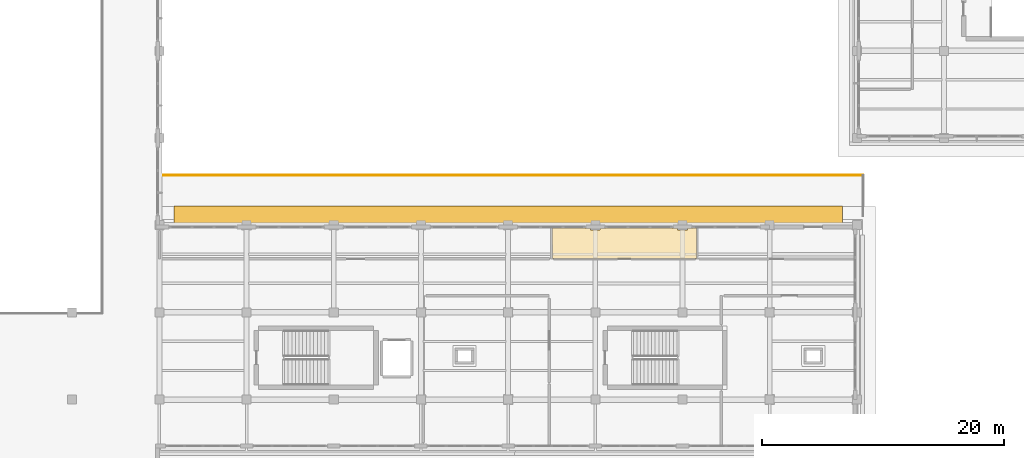
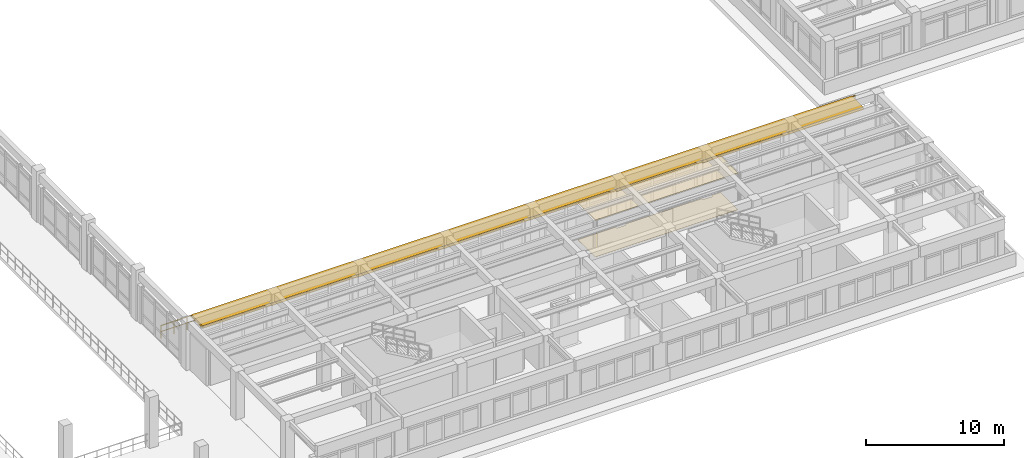
# One storey, part 56 of 64: 2 coverings, 1 railing, 1 shading device.
"""IFC4 building model written with IfcOpenShell, lengths in metres."""

from ifc_helpers import new_model, si_unit, direction, frame, origin, origin_2d, place, context, subcontext, project, spatial, polyline, rectangle, circle, outline, extrude, material, layer, layer_set, type_object, element, save


model = new_model("IFC4")

# Units and contexts
model_context = context("Model", 3, precision=1e-05, world=origin(), true_north=direction((0.0, 1.0)))
body_context = subcontext(model_context, "Body", "Model", "MODEL_VIEW")
ifc_project = project(units=[si_unit("LENGTHUNIT", "METRE"), si_unit("AREAUNIT", "SQUARE_METRE"), si_unit("VOLUMEUNIT", "CUBIC_METRE"), si_unit("PLANEANGLEUNIT", "RADIAN"), si_unit("MASSUNIT", "GRAM", prefix="KILO")], contexts=[model_context])

# Site, building, storey
site_placement = place(None, origin())
site = spatial("IfcSite", under=ifc_project, at=site_placement, CompositionType="ELEMENT")
building_placement = place(site_placement, origin())
building = spatial("IfcBuilding", under=site, at=building_placement, Name="Solenvale Faculty of Natural Sciences", CompositionType="ELEMENT")
storey_placement = place(building_placement, frame((0.0, 0.0, 18.0)))
storey = spatial("IfcBuildingStorey", under=building, at=storey_placement, Name="L04", CompositionType="ELEMENT", Elevation=18.0)

# Coverings
ifc_material_1 = material(Name="Acoustic mineral-timber ceiling", Category="wood")
ifc_layer_1 = layer(ifc_material_1, 0.02490234375)
ifc_layer_set_1 = layer_set([ifc_layer_1], Name="Acoustic mineral-timber ceiling")
covering_type_1 = type_object("IfcCoveringType", Name="COV-CEIL-AC25", PredefinedType="CEILING", material=ifc_layer_set_1)
covering_1_placement = place(storey_placement, frame((0.0, 0.0, 3.235107421875)))
element("IfcCovering", 1, at=covering_1_placement, inside=storey, type_object=covering_type_1, Name="L04 Graduate Research Office Acoustic Ceiling", PredefinedType="CEILING", context=body_context, shape_type="SweptSolid", body=[
    extrude(outline(polyline([(93.169921875, 35.760009765625), (93.198974609375, 35.739013671875), (93.199951171875, 35.60888671875), (93.2109375, 35.60009765625), (93.991943359375, 35.60009765625), (94.0009765625, 35.736083984375), (94.030029296875, 35.760009765625), (100.3701171875, 35.760009765625), (100.39892578125, 35.739013671875), (100.39990234375, 35.60888671875), (100.410888671875, 35.60009765625), (101.19091796875, 35.60009765625), (101.199951171875, 35.60888671875), (101.200927734375, 35.736083984375), (101.22412109375, 35.759033203125), (101.958984375, 35.759033203125), (101.97998046875, 35.72998046875), (101.97900390625, 33.260986328125), (101.949951171875, 33.239990234375), (90.070068359375, 33.239990234375), (90.047119140625, 33.2509765625), (90.0400390625, 35.72998046875), (90.051025390625, 35.7529296875), (93.169921875, 35.760009765625)])), origin(), (0.0, 0.0, 1.0), 0.02490234375),
])
ifc_material_2 = material(Name="Polished slate terrazzo flooring", Category="masonry")
ifc_layer_2 = layer(ifc_material_2, 0.01806640625)
ifc_layer_set_2 = layer_set([ifc_layer_2], Name="Polished slate terrazzo flooring")
covering_type_2 = type_object("IfcCoveringType", Name="COV-FLR-TRZ18", PredefinedType="FLOORING", material=ifc_layer_set_2)
covering_2_placement = place(storey_placement, origin())
element("IfcCovering", 2, at=covering_2_placement, inside=storey, type_object=covering_type_2, Name="L04 Graduate Research Office Floor Finish", PredefinedType="FLOORING", context=body_context, shape_type="SweptSolid", body=[
    extrude(outline(polyline([(93.169921875, 35.760009765625), (93.198974609375, 35.739013671875), (93.199951171875, 35.60888671875), (93.2109375, 35.60009765625), (93.991943359375, 35.60009765625), (94.0009765625, 35.736083984375), (94.030029296875, 35.760009765625), (100.3701171875, 35.760009765625), (100.39892578125, 35.739013671875), (100.39990234375, 35.60888671875), (100.410888671875, 35.60009765625), (101.19091796875, 35.60009765625), (101.199951171875, 35.60888671875), (101.200927734375, 35.736083984375), (101.22412109375, 35.759033203125), (101.958984375, 35.759033203125), (101.97998046875, 35.72998046875), (101.97900390625, 33.260986328125), (101.949951171875, 33.239990234375), (90.070068359375, 33.239990234375), (90.047119140625, 33.2509765625), (90.0400390625, 35.72998046875), (90.051025390625, 35.7529296875), (93.169921875, 35.760009765625)])), origin(), (0.0, 0.0, 1.0), 0.01806640625),
])

# Railing
ifc_material_3 = material(Name="Stainless steel Grade 304", Category="steel")
railing_type = type_object("IfcRailingType", Name="RL-TERR-1100", PredefinedType="GUARDRAIL", material=ifc_material_3)
railing_placement = place(storey_placement, frame((57.719970703125, 40.1201171875, 0.0)))
element("IfcRailing", 3, at=railing_placement, inside=storey, type_object=railing_type, Name="L04 Terrace Guardrail 1.4", PredefinedType="GUARDRAIL", context=body_context, shape_type="SweptSolid", body=[
    extrude(circle(Radius=0.02392578125, at=origin_2d()), frame((0.0, 0.0, 1.09619140625), z_axis=(1.0, 0.0, 0.0), x_axis=(0.0, 1.0, 0.0)), (0.0, 0.0, 1.0), 58.0),
    extrude(circle(Radius=0.01611328125, at=origin_2d()), frame((0.0, 0.0, 0.56005859375), z_axis=(1.0, 0.0, 0.0), x_axis=(0.0, 1.0, 0.0)), (0.0, 0.0, 1.0), 58.0),
    extrude(circle(Radius=0.02099609375, at=origin_2d()), origin(), (0.0, 0.0, 1.0), 1.072021484375),
    extrude(circle(Radius=0.02099609375, at=origin_2d()), frame((1.09423828125, 0.0, 0.0)), (0.0, 0.0, 1.0), 1.072021484375),
    extrude(circle(Radius=0.02099609375, at=origin_2d()), frame((2.188720703125, 0.0, 0.0)), (0.0, 0.0, 1.0), 1.072021484375),
    extrude(circle(Radius=0.02099609375, at=origin_2d()), frame((3.282958984375, 0.0, 0.0)), (0.0, 0.0, 1.0), 1.072021484375),
    extrude(circle(Radius=0.02099609375, at=origin_2d()), frame((4.37744140625, 0.0, 0.0)), (0.0, 0.0, 1.0), 1.072021484375),
    extrude(circle(Radius=0.02099609375, at=origin_2d()), frame((5.4716796875, 0.0, 0.0)), (0.0, 0.0, 1.0), 1.072021484375),
    extrude(circle(Radius=0.02099609375, at=origin_2d()), frame((6.56591796875, 0.0, 0.0)), (0.0, 0.0, 1.0), 1.072021484375),
    extrude(circle(Radius=0.02099609375, at=origin_2d()), frame((7.660400390625, 0.0, 0.0)), (0.0, 0.0, 1.0), 1.072021484375),
    extrude(circle(Radius=0.02099609375, at=origin_2d()), frame((8.754638671875, 0.0, 0.0)), (0.0, 0.0, 1.0), 1.072021484375),
    extrude(circle(Radius=0.02099609375, at=origin_2d()), frame((9.84912109375, 0.0, 0.0)), (0.0, 0.0, 1.0), 1.072021484375),
    extrude(circle(Radius=0.02099609375, at=origin_2d()), frame((10.943359375, 0.0, 0.0)), (0.0, 0.0, 1.0), 1.072021484375),
    extrude(circle(Radius=0.02099609375, at=origin_2d()), frame((12.037841796875, 0.0, 0.0)), (0.0, 0.0, 1.0), 1.072021484375),
    extrude(circle(Radius=0.02099609375, at=origin_2d()), frame((13.132080078125, 0.0, 0.0)), (0.0, 0.0, 1.0), 1.072021484375),
    extrude(circle(Radius=0.02099609375, at=origin_2d()), frame((14.226318359375, 0.0, 0.0)), (0.0, 0.0, 1.0), 1.072021484375),
    extrude(circle(Radius=0.02099609375, at=origin_2d()), frame((15.32080078125, 0.0, 0.0)), (0.0, 0.0, 1.0), 1.072021484375),
    extrude(circle(Radius=0.02099609375, at=origin_2d()), frame((16.4150390625, 0.0, 0.0)), (0.0, 0.0, 1.0), 1.072021484375),
    extrude(circle(Radius=0.02099609375, at=origin_2d()), frame((17.509521484375, 0.0, 0.0)), (0.0, 0.0, 1.0), 1.072021484375),
    extrude(circle(Radius=0.02099609375, at=origin_2d()), frame((18.603759765625, 0.0, 0.0)), (0.0, 0.0, 1.0), 1.072021484375),
    extrude(circle(Radius=0.02099609375, at=origin_2d()), frame((19.697998046875, 0.0, 0.0)), (0.0, 0.0, 1.0), 1.072021484375),
    extrude(circle(Radius=0.02099609375, at=origin_2d()), frame((20.79248046875, 0.0, 0.0)), (0.0, 0.0, 1.0), 1.072021484375),
    extrude(circle(Radius=0.02099609375, at=origin_2d()), frame((21.88671875, 0.0, 0.0)), (0.0, 0.0, 1.0), 1.072021484375),
    extrude(circle(Radius=0.02099609375, at=origin_2d()), frame((22.981201171875, 0.0, 0.0)), (0.0, 0.0, 1.0), 1.072021484375),
    extrude(circle(Radius=0.02099609375, at=origin_2d()), frame((24.075439453125, 0.0, 0.0)), (0.0, 0.0, 1.0), 1.072021484375),
    extrude(circle(Radius=0.02099609375, at=origin_2d()), frame((25.169921875, 0.0, 0.0)), (0.0, 0.0, 1.0), 1.072021484375),
    extrude(circle(Radius=0.02099609375, at=origin_2d()), frame((26.26416015625, 0.0, 0.0)), (0.0, 0.0, 1.0), 1.072021484375),
    extrude(circle(Radius=0.02099609375, at=origin_2d()), frame((27.3583984375, 0.0, 0.0)), (0.0, 0.0, 1.0), 1.072021484375),
    extrude(circle(Radius=0.02099609375, at=origin_2d()), frame((28.452880859375, 0.0, 0.0)), (0.0, 0.0, 1.0), 1.072021484375),
    extrude(circle(Radius=0.02099609375, at=origin_2d()), frame((29.547119140625, 0.0, 0.0)), (0.0, 0.0, 1.0), 1.072021484375),
    extrude(circle(Radius=0.02099609375, at=origin_2d()), frame((30.6416015625, 0.0, 0.0)), (0.0, 0.0, 1.0), 1.072021484375),
    extrude(circle(Radius=0.02099609375, at=origin_2d()), frame((31.73583984375, 0.0, 0.0)), (0.0, 0.0, 1.0), 1.072021484375),
    extrude(circle(Radius=0.02099609375, at=origin_2d()), frame((32.830078125, 0.0, 0.0)), (0.0, 0.0, 1.0), 1.072021484375),
    extrude(circle(Radius=0.02099609375, at=origin_2d()), frame((33.924560546875, 0.0, 0.0)), (0.0, 0.0, 1.0), 1.072021484375),
    extrude(circle(Radius=0.02099609375, at=origin_2d()), frame((35.018798828125, 0.0, 0.0)), (0.0, 0.0, 1.0), 1.072021484375),
    extrude(circle(Radius=0.02099609375, at=origin_2d()), frame((36.11328125, 0.0, 0.0)), (0.0, 0.0, 1.0), 1.072021484375),
    extrude(circle(Radius=0.02099609375, at=origin_2d()), frame((37.20751953125, 0.0, 0.0)), (0.0, 0.0, 1.0), 1.072021484375),
    extrude(circle(Radius=0.02099609375, at=origin_2d()), frame((38.302001953125, 0.0, 0.0)), (0.0, 0.0, 1.0), 1.072021484375),
    extrude(circle(Radius=0.02099609375, at=origin_2d()), frame((39.396240234375, 0.0, 0.0)), (0.0, 0.0, 1.0), 1.072021484375),
    extrude(circle(Radius=0.02099609375, at=origin_2d()), frame((40.490478515625, 0.0, 0.0)), (0.0, 0.0, 1.0), 1.072021484375),
    extrude(circle(Radius=0.02099609375, at=origin_2d()), frame((41.5849609375, 0.0, 0.0)), (0.0, 0.0, 1.0), 1.072021484375),
    extrude(circle(Radius=0.02099609375, at=origin_2d()), frame((42.67919921875, 0.0, 0.0)), (0.0, 0.0, 1.0), 1.072021484375),
    extrude(circle(Radius=0.02099609375, at=origin_2d()), frame((43.773681640625, 0.0, 0.0)), (0.0, 0.0, 1.0), 1.072021484375),
    extrude(circle(Radius=0.02099609375, at=origin_2d()), frame((44.867919921875, 0.0, 0.0)), (0.0, 0.0, 1.0), 1.072021484375),
    extrude(circle(Radius=0.02099609375, at=origin_2d()), frame((45.962158203125, 0.0, 0.0)), (0.0, 0.0, 1.0), 1.072021484375),
    extrude(circle(Radius=0.02099609375, at=origin_2d()), frame((47.056640625, 0.0, 0.0)), (0.0, 0.0, 1.0), 1.072021484375),
    extrude(circle(Radius=0.02099609375, at=origin_2d()), frame((48.15087890625, 0.0, 0.0)), (0.0, 0.0, 1.0), 1.072021484375),
    extrude(circle(Radius=0.02099609375, at=origin_2d()), frame((49.245361328125, 0.0, 0.0)), (0.0, 0.0, 1.0), 1.072021484375),
    extrude(circle(Radius=0.02099609375, at=origin_2d()), frame((50.339599609375, 0.0, 0.0)), (0.0, 0.0, 1.0), 1.072021484375),
    extrude(circle(Radius=0.02099609375, at=origin_2d()), frame((51.43408203125, 0.0, 0.0)), (0.0, 0.0, 1.0), 1.072021484375),
    extrude(circle(Radius=0.02099609375, at=origin_2d()), frame((52.5283203125, 0.0, 0.0)), (0.0, 0.0, 1.0), 1.072021484375),
    extrude(circle(Radius=0.02099609375, at=origin_2d()), frame((53.62255859375, 0.0, 0.0)), (0.0, 0.0, 1.0), 1.072021484375),
    extrude(circle(Radius=0.02099609375, at=origin_2d()), frame((54.717041015625, 0.0, 0.0)), (0.0, 0.0, 1.0), 1.072021484375),
    extrude(circle(Radius=0.02099609375, at=origin_2d()), frame((55.811279296875, 0.0, 0.0)), (0.0, 0.0, 1.0), 1.072021484375),
    extrude(circle(Radius=0.02099609375, at=origin_2d()), frame((56.90576171875, 0.0, 0.0)), (0.0, 0.0, 1.0), 1.072021484375),
    extrude(circle(Radius=0.02099609375, at=origin_2d()), frame((58.0, 0.0, 0.0)), (0.0, 0.0, 1.0), 1.072021484375),
])

# Shading device
ifc_material_4 = material(Name="Anodised bronze aluminium", Category="aluminium")
shading_device_type = type_object("IfcShadingDeviceType", Name="SHD-LVR-1800x1200", PredefinedType="JALOUSIE", material=ifc_material_4)
shading_device_placement = place(storey_placement, frame((86.39990234375, 36.75, 3.0), z_axis=(0.0, 0.0, 1.0), x_axis=(1.0, 0.0, 0.0)))
element("IfcShadingDevice", 4, at=shading_device_placement, inside=storey, type_object=shading_device_type, Name="L04 Shaded Terrace Overhang Canopy 1", PredefinedType="JALOUSIE", context=body_context, shape_type="SweptSolid", body=[
    extrude(rectangle(XDim=55.199951171875, YDim=1.64990234375, at=origin_2d()), origin(), (0.0, 0.0, 1.0), 0.239990234375),
])

save(model, "model.ifc")
